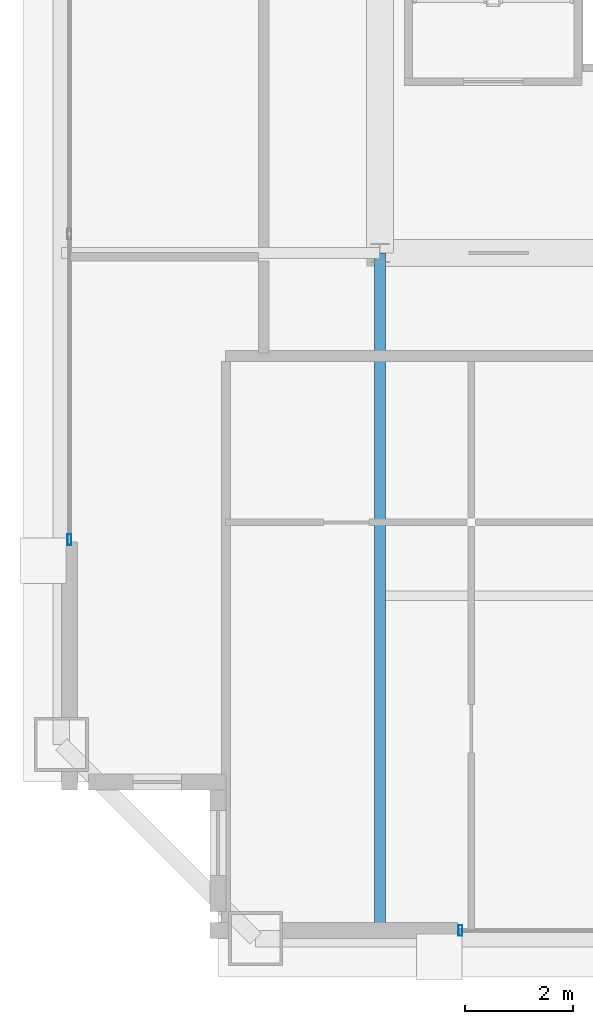
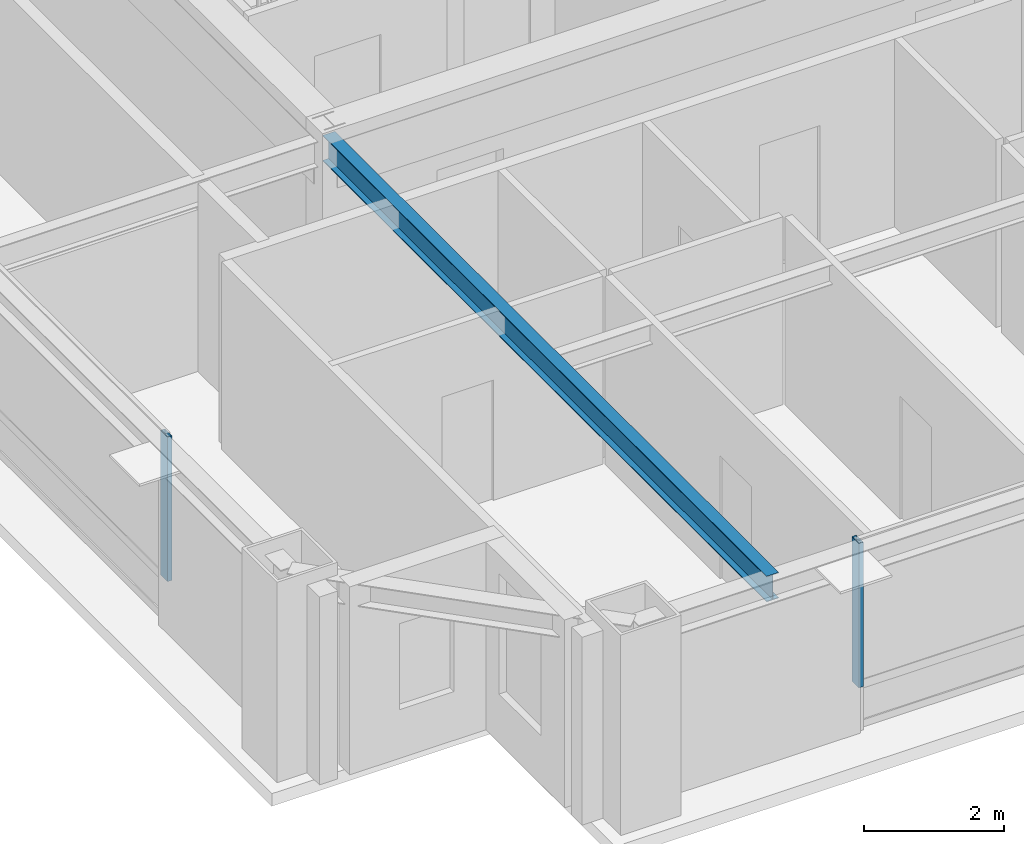
# One storey, part 4 of 34: 2 members, 1 beam, 2 elements without a shape of their own.
"""IFC4 building model written with IfcOpenShell, lengths in metres."""

from ifc_helpers import new_model, si_unit, direction, frame, origin, origin_2d, place, context, subcontext, project, spatial, hollow_rectangle, i_section, extrude, source, transform, mapped, material, layer, layer_set, material_profile, profile_set, type_object, element, aggregate, save


model = new_model("IFC4")

# Units and contexts
model_context = context("Model", 3, precision=1e-05, world=origin(), true_north=direction((0.0, 1.0)))
body_context = subcontext(model_context, "Body", "Model", "MODEL_VIEW")
ifc_project = project(units=[si_unit("LENGTHUNIT", "METRE"), si_unit("AREAUNIT", "SQUARE_METRE"), si_unit("VOLUMEUNIT", "CUBIC_METRE"), si_unit("PLANEANGLEUNIT", "RADIAN"), si_unit("MASSUNIT", "GRAM", prefix="KILO"), si_unit("THERMODYNAMICTEMPERATUREUNIT", "KELVIN"), si_unit("POWERUNIT", "WATT")], contexts=[model_context])

# Site, building, storey
site_placement = place(None, origin())
site = spatial("IfcSite", under=ifc_project, at=site_placement, CompositionType="ELEMENT")
building_placement = place(site_placement, origin())
building = spatial("IfcBuilding", under=site, at=building_placement, Name="Yuzanri Waterfront Tower", CompositionType="ELEMENT")
storey_placement = place(building_placement, frame((0.0, 0.0, 325.199951171875)))
storey = spatial("IfcBuildingStorey", under=building, at=storey_placement, Name="L87", CompositionType="ELEMENT", Elevation=325.199951171875)

# Beam
ifc_material_1 = material(Name="Steel Q355B", Category="steel")
ifc_material_profile_1 = material_profile(ifc_material_1, i_section(OverallWidth=0.199951171875, OverallDepth=0.449951171875, WebThickness=0.009033203125, FlangeThickness=0.013916015625, at=origin_2d()), Name="HN 450x200x9x14")
ifc_profile_set_1 = profile_set([ifc_material_profile_1], Name="Steel Q355B")
beam_type = type_object("IfcBeamType", Name="Secondary Floor Beam Q355B HN 450x200", PredefinedType="BEAM", material=ifc_profile_set_1)
shared_shape_1 = source(origin(), body_context, "Body", "SweptSolid", [
    extrude(i_section(OverallWidth=0.199951171875, OverallDepth=0.449951171875, WebThickness=0.009033203125, FlangeThickness=0.013916015625, at=origin_2d()), origin(), (0.0, 0.0, 1.0), 12.699951171875),
])
beam_placement = place(storey_placement, frame((23.800048828125, 19.39990234375, 3.054931640625), z_axis=(0.0, -1.0, 0.0), x_axis=(1.0, 0.0, 0.0)))
element("IfcBeam", 1, at=beam_placement, inside=storey, type_object=beam_type, Name="L87 South-West Core Line Beam", PredefinedType="BEAM", context=body_context, shape_type="MappedRepresentation", body=[
    mapped(shared_shape_1, transform((0.0, 0.0, 0.0), scale=1.0)),
])

# Curtain wall, member
ifc_material_2 = material(Name="Anodized Architectural Bronze", Category="metal")
ifc_layer = layer(ifc_material_2, 0.159912109375)
ifc_layer_set = layer_set([ifc_layer], Name="Anodized Architectural Bronze")
curtain_wall_type = type_object("IfcCurtainWallType", Name="Anodized Bronze High-Rise Penthouse High-Wind Unitized Curtain Wall 6900", PredefinedType="NOTDEFINED", material=ifc_layer_set)
curtain_wall_1_placement = place(storey_placement, origin())
curtain_wall_1 = element("IfcCurtainWall", 2, at=curtain_wall_1_placement, inside=storey, type_object=curtain_wall_type, Name="L87 Curtain Wall CW-L87-SL", PredefinedType="NOTDEFINED")
ifc_material_3 = material(Name="Anodized Architectural Bronze", Category="metal")
ifc_material_profile_2 = material_profile(ifc_material_3, hollow_rectangle(XDim=0.074951171875, YDim=0.199951171875, WallThickness=0.00390625, at=origin_2d()), Name="CWM 75x200")
ifc_profile_set_2 = profile_set([ifc_material_profile_2], Name="Anodized Architectural Bronze")
member_type = type_object("IfcMemberType", Name="Anodized Bronze Primary Curtain-Wall Mullion 75x200", PredefinedType="MULLION", material=ifc_profile_set_2)
shared_shape_2 = source(origin(), body_context, "Body", "SweptSolid", [
    extrude(hollow_rectangle(XDim=0.074951171875, YDim=0.199951171875, WallThickness=0.00390625, at=origin_2d()), origin(), (0.0, 0.0, 1.0), 2.52392578125),
])
member_1_placement = place(storey_placement, frame((25.2900390625, 6.85009765625, 0.756103515625), z_axis=(0.0, 0.0, 1.0), x_axis=(1.0, 0.0, 0.0)))
member_1 = element("IfcMember", 3, at=member_1_placement, type_object=member_type, Name="CW-L87-SL Upper Mullion 00", PredefinedType="MULLION", context=body_context, shape_type="MappedRepresentation", body=[
    mapped(shared_shape_2, transform((0.0, 0.0, 0.0), scale=1.0)),
])
aggregate(curtain_wall_1, [member_1])

curtain_wall_2_placement = place(storey_placement, origin())
curtain_wall_2 = element("IfcCurtainWall", 4, at=curtain_wall_2_placement, inside=storey, type_object=curtain_wall_type, Name="L87 Curtain Wall CW-L87-WL", PredefinedType="NOTDEFINED")
member_2_placement = place(storey_placement, frame((18.050048828125, 14.090087890625, 0.756103515625), z_axis=(0.0, 0.0, 1.0), x_axis=(1.0, 0.0, 0.0)))
member_2 = element("IfcMember", 5, at=member_2_placement, type_object=member_type, Name="CW-L87-WL Upper Mullion 00", PredefinedType="MULLION", context=body_context, shape_type="MappedRepresentation", body=[
    mapped(shared_shape_2, transform((0.0, 0.0, 0.0), scale=1.0)),
])
aggregate(curtain_wall_2, [member_2])

save(model, "model.ifc")
